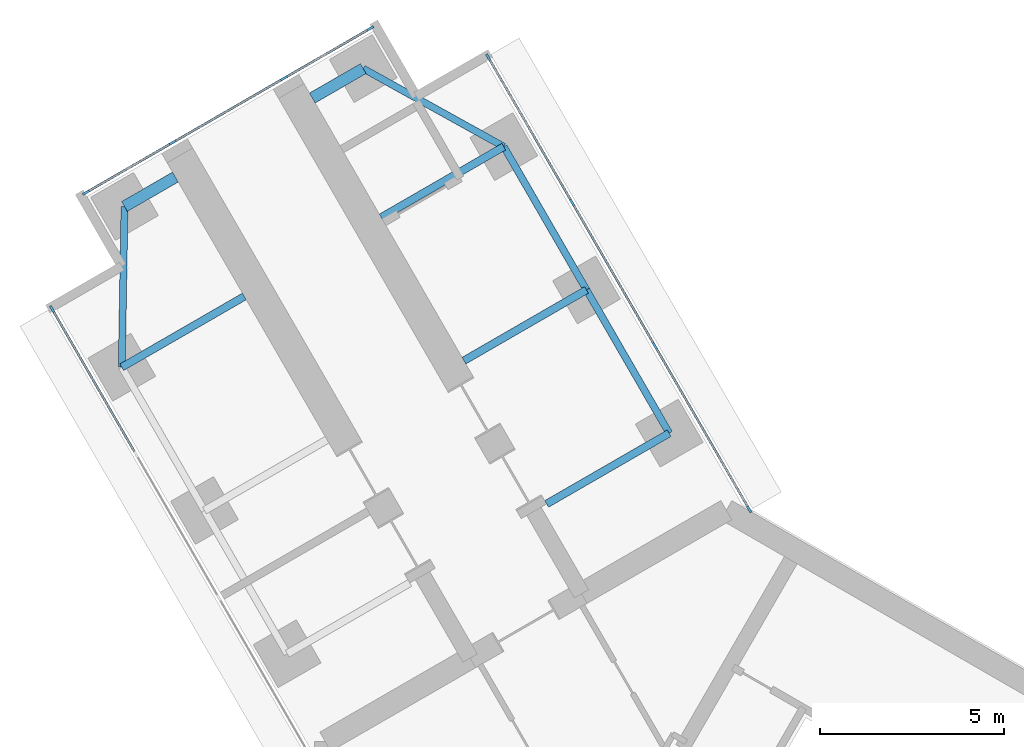
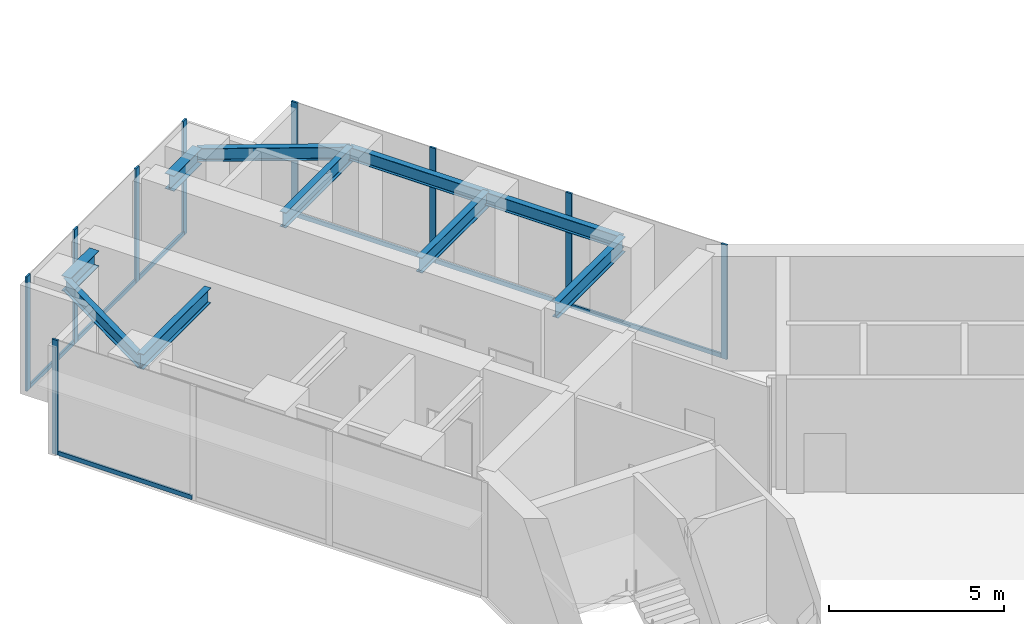
# One storey, part 6 of 21: 16 members, 10 beams, 3 elements without a shape of their own.
"""IFC4 building model written with IfcOpenShell, lengths in metres."""

import ifcopenshell
import ifcopenshell.guid

model = None  # the IFC model being written
_history = None  # IfcOwnerHistory: only IFC2X3 demands one
_inside = {}  # id of a spatial element -> (the spatial element, [elements in it])
_under = {}  # id of a project, library or spatial element -> (it, [spatial elements below it])
_declared = {}  # id of a project -> (the project, [libraries it declares])
_typed = {}  # id of a type object -> (the type object, [elements of that type])
_made_of = {}  # id of a material, layer set ... -> (it, [elements and type objects made of it])


def new_model(schema):
    """Start an empty IFC model of exactly this schema.

    Asked for "IFC4X3", IfcOpenShell would pick the latest addendum, in which some entities
    have other attributes; the version numbers below select the first issue.
    IFC2X3 requires an IfcOwnerHistory on every rooted entity: one is made here for all.
    """
    global model, _history
    if schema == "IFC4X3":
        model = ifcopenshell.file(schema_version=(4, 3, 0, 0))
    else:
        model = ifcopenshell.file(schema=schema)
    _inside.clear()
    _under.clear()
    _declared.clear()
    _typed.clear()
    _made_of.clear()
    _history = None
    if model.schema == "IFC2X3":
        org = make("IfcOrganization", Name="unknown")
        user = make(
            "IfcPersonAndOrganization",
            ThePerson=make("IfcPerson", FamilyName="unknown"),
            TheOrganization=org,
        )
        app = make(
            "IfcApplication",
            ApplicationDeveloper=org,
            Version="unknown",
            ApplicationFullName="unknown",
            ApplicationIdentifier="unknown",
        )
        _history = make(
            "IfcOwnerHistory",
            OwningUser=user,
            OwningApplication=app,
            ChangeAction="ADDED",
            CreationDate=0,
        )
    return model


def make(cls, **values):
    """One entity of the class cls with the attributes given. An attribute that is None is left unset."""
    return model.create_entity(
        cls, **{name: value for name, value in values.items() if value is not None}
    )


def rooted(cls, **values):
    """An entity with a GlobalId (a new one), such as an element, a storey or a relation."""
    return make(cls, GlobalId=ifcopenshell.guid.new(), OwnerHistory=_history, **values)


def si_unit(unit_type, name, prefix=None):
    """IfcSIUnit, for example si_unit("LENGTHUNIT", "METRE", prefix="MILLI")."""
    return make("IfcSIUnit", UnitType=unit_type, Prefix=prefix, Name=name)


def assignment(units):
    """IfcUnitAssignment: the units of a project."""
    return None if units is None else make("IfcUnitAssignment", Units=units)


def point(xyz):
    """IfcCartesianPoint."""
    return None if xyz is None else make("IfcCartesianPoint", Coordinates=xyz)


def direction(xyz):
    """IfcDirection."""
    return None if xyz is None else make("IfcDirection", DirectionRatios=xyz)


def frame(location, z_axis=None, x_axis=None):
    """IfcAxis2Placement3D, a coordinate frame: its origin and axes. An axis left out is left unset."""
    return make(
        "IfcAxis2Placement3D",
        Location=point(location),
        Axis=direction(z_axis),
        RefDirection=direction(x_axis),
    )


def frame_2d(location, x_axis=None):
    """IfcAxis2Placement2D, a coordinate frame in the plane: its origin and x axis."""
    return make(
        "IfcAxis2Placement2D", Location=point(location), RefDirection=direction(x_axis)
    )


def origin():
    """The frame at (0, 0, 0) with its axes left unset."""
    return frame((0.0, 0.0, 0.0))


def origin_2d():
    """The frame at (0, 0) in the plane with its x axis left unset."""
    return frame_2d((0.0, 0.0))


def place(relative_to, where):
    """IfcLocalPlacement: puts the frame where relative to a parent placement (None: the world)."""
    return make(
        "IfcLocalPlacement", PlacementRelTo=relative_to, RelativePlacement=where
    )


def context(
    kind, dimensions, precision=None, world=None, true_north=None, identifier=None
):
    """IfcGeometricRepresentationContext, for example the 3D "Model" context."""
    return make(
        "IfcGeometricRepresentationContext",
        ContextIdentifier=identifier,
        ContextType=kind,
        CoordinateSpaceDimension=dimensions,
        Precision=precision,
        WorldCoordinateSystem=world,
        TrueNorth=true_north,
    )


def subcontext(parent, identifier, kind, view, scale=None):
    """IfcGeometricRepresentationSubContext, for example "Body" below "Model"."""
    return make(
        "IfcGeometricRepresentationSubContext",
        ContextIdentifier=identifier,
        ContextType=kind,
        ParentContext=parent,
        TargetScale=scale,
        TargetView=view,
    )


def project(units=None, contexts=None):
    """IfcProject with its units and contexts."""
    return rooted(
        "IfcProject",
        Name="project",
        RepresentationContexts=contexts,
        UnitsInContext=assignment(units),
    )


def spatial(cls, under=None, at=None, **own):
    """A site, building, storey or space (cls), placed at a placement, below another one or the project."""
    s = rooted(cls, ObjectPlacement=at, **own)
    if under is not None:
        _under.setdefault(under.id(), (under, []))[1].append(s)
    return s


def profile(cls, at=None, kind="AREA", **sizes):
    """A parametric profile (cls). Its sizes go by their IFC names, for example OverallWidth=200.0."""
    return make(cls, ProfileType=kind, Position=at, **sizes)


def rectangle(**sizes):
    """IfcRectangleProfileDef."""
    return profile("IfcRectangleProfileDef", **sizes)


def i_section(**sizes):
    """IfcIShapeProfileDef."""
    return profile("IfcIShapeProfileDef", **sizes)


def extrude(swept, where, along, depth):
    """IfcExtrudedAreaSolid: the profile swept, set in the frame where, extruded along a direction by depth."""
    return make(
        "IfcExtrudedAreaSolid",
        SweptArea=swept,
        Position=where,
        ExtrudedDirection=direction(along),
        Depth=depth,
    )


def shape(context_of_items, identifier, shape_type, items):
    """IfcShapeRepresentation: the items that make up one representation, for example the "Body"."""
    return make(
        "IfcShapeRepresentation",
        ContextOfItems=context_of_items,
        RepresentationIdentifier=identifier,
        RepresentationType=shape_type,
        Items=items,
    )


def material(Name=None, Category=None):
    """IfcMaterial."""
    return make("IfcMaterial", Name=Name, Category=Category)


def material_profile(
    of_material, cross_section, Name=None, Category=None, Priority=None
):
    """IfcMaterialProfile: a cross section and its material."""
    return make(
        "IfcMaterialProfile",
        Name=Name,
        Material=of_material,
        Profile=cross_section,
        Priority=Priority,
        Category=Category,
    )


def profile_set(profiles, Name=None, composite=None):
    """IfcMaterialProfileSet."""
    return make(
        "IfcMaterialProfileSet",
        Name=Name,
        MaterialProfiles=profiles,
        CompositeProfile=composite,
    )


def made_of(thing, what):
    """Note that an element or type object is made of a material, layer set ...; save() writes the relation."""
    if what is not None:
        _made_of.setdefault(what.id(), (what, []))[1].append(thing)
    return thing


def type_object(cls, material=None, **own):
    """A type object (cls), such as IfcWallType, which elements share."""
    return made_of(rooted(cls, **own), material)


def element(
    cls,
    number,
    at=None,
    inside=None,
    cuts=None,
    type_object=None,
    material=None,
    context=None,
    identifier="Body",
    shape_type=None,
    held_by="IfcProductDefinitionShape",
    body=None,
    shapes=None,
    **own,
):
    """One element of the class cls, such as IfcWall. Its Tag is "e" and its number.

    at: its placement. inside: the storey or other place that contains it. cuts: it is an
    opening in that element (IfcRelVoidsElement). A single representation is given by context,
    identifier, shape_type and body (its items); several are given by shapes. held_by: the class
    of the entity that holds the representations. save() writes the other relations.
    """
    e = rooted(cls, Tag="e%d" % number, ObjectPlacement=at, **own)
    if body is not None:
        shapes = [shape(context, identifier, shape_type, body)]
    if shapes is not None:
        e.Representation = make(held_by, Representations=shapes)
    if inside is not None:
        _inside.setdefault(inside.id(), (inside, []))[1].append(e)
    if cuts is not None:
        rooted(
            "IfcRelVoidsElement", RelatingBuildingElement=cuts, RelatedOpeningElement=e
        )
    if type_object is not None:
        _typed.setdefault(type_object.id(), (type_object, []))[1].append(e)
    return made_of(e, material)


def aggregate(whole, parts):
    """IfcRelAggregates: a whole, such as a stair, and the parts it consists of."""
    return rooted("IfcRelAggregates", RelatingObject=whole, RelatedObjects=parts)


def save(model, path):
    """Write the relations noted so far, then the file.

    IfcRelAggregates (storeys below a building ...), IfcRelContainedInSpatialStructure (elements
    in a storey), IfcRelDefinesByType, IfcRelAssociatesMaterial and IfcRelDeclares: one each for
    every whole, place, type object, material and project.
    """
    for whole, parts in _under.values():
        aggregate(whole, parts)
    for where, things in _inside.values():
        rooted(
            "IfcRelContainedInSpatialStructure",
            RelatedElements=things,
            RelatingStructure=where,
        )
    for kind, things in _typed.values():
        rooted("IfcRelDefinesByType", RelatedObjects=things, RelatingType=kind)
    for what, things in _made_of.values():
        rooted("IfcRelAssociatesMaterial", RelatedObjects=things, RelatingMaterial=what)
    for by, libraries in _declared.values():
        rooted("IfcRelDeclares", RelatingContext=by, RelatedDefinitions=libraries)
    model.write(path)


model = new_model("IFC4")

# Units and contexts
model_context = context("Model", 3, precision=1e-05, world=origin(), true_north=direction((0.0, 1.0)))
body_context = subcontext(model_context, "Body", "Model", "MODEL_VIEW")
ifc_project = project(units=[si_unit("LENGTHUNIT", "METRE"), si_unit("AREAUNIT", "SQUARE_METRE"), si_unit("VOLUMEUNIT", "CUBIC_METRE"), si_unit("PLANEANGLEUNIT", "RADIAN"), si_unit("MASSUNIT", "GRAM", prefix="KILO")], contexts=[model_context])

# Site, building, storey
site_placement = place(None, origin())
site = spatial("IfcSite", under=ifc_project, at=site_placement, CompositionType="ELEMENT")
building_placement = place(site_placement, origin())
building = spatial("IfcBuilding", under=site, at=building_placement, Name="Upepo Twin Towers", CompositionType="ELEMENT")
storey_placement = place(building_placement, frame((0.0, 0.0, 101.5)))
storey = spatial("IfcBuildingStorey", under=building, at=storey_placement, Name="L24", CompositionType="ELEMENT", Elevation=101.5)

# Beams
ifc_material_1 = material(Name="Steel S355", Category="steel")
ifc_material_profile_1 = material_profile(ifc_material_1, i_section(OverallWidth=0.1904296875, OverallDepth=0.45703125, WebThickness=0.009033203125, FlangeThickness=0.014404296875, FilletRadius=0.01025390625, at=origin_2d()), Name="UB 457x191x74")
ifc_profile_set_1 = profile_set([ifc_material_profile_1], Name="Steel S355")
beam_type_1 = type_object("IfcBeamType", Name="Beam UB 457x191x74", PredefinedType="BEAM", material=ifc_profile_set_1)
beam_1_placement = place(storey_placement, frame((-16.446044921875, 16.485595703125, 3.571533203125), z_axis=(0.016803880528, 0.999858804832, 0.0), x_axis=(-0.999858804832, 0.016803880528, 0.0)))
element("IfcBeam", 1, at=beam_1_placement, inside=storey, type_object=beam_type_1, Name="T1 nose edge beam BL", PredefinedType="BEAM", context=body_context, shape_type="SweptSolid", body=[
    extrude(i_section(OverallWidth=0.1904296875, OverallDepth=0.45703125, WebThickness=0.009033203125, FlangeThickness=0.014404296875, FilletRadius=0.01025390625, at=origin_2d()), origin(), (0.0, 0.0, 1.0), 4.373291015625),
])
beam_2_placement = place(storey_placement, frame((-1.553955078125, 14.69140625, 3.571533203125), z_axis=(-0.500013631625, 0.866017533419, 0.0), x_axis=(-0.866017533419, -0.500013631625, 0.0)))
element("IfcBeam", 2, at=beam_2_placement, inside=storey, type_object=beam_type_1, Name="T1 edge beam BR 13.5-18.0", PredefinedType="BEAM", context=body_context, shape_type="SweptSolid", body=[
    extrude(i_section(OverallWidth=0.1904296875, OverallDepth=0.45703125, WebThickness=0.009033203125, FlangeThickness=0.014404296875, FilletRadius=0.01025390625, at=origin_2d()), origin(), (0.0, 0.0, 1.0), 4.499755859375),
])
beam_3_placement = place(storey_placement, frame((-3.803955078125, 18.58837890625, 3.571533203125), z_axis=(-0.499990139034, 0.866031096941, 0.0), x_axis=(-0.866031096941, -0.499990139034, 0.0)))
element("IfcBeam", 3, at=beam_3_placement, inside=storey, type_object=beam_type_1, Name="T1 edge beam BR 18.0-22.5", PredefinedType="BEAM", context=body_context, shape_type="SweptSolid", body=[
    extrude(i_section(OverallWidth=0.1904296875, OverallDepth=0.45703125, WebThickness=0.009033203125, FlangeThickness=0.014404296875, FilletRadius=0.01025390625, at=origin_2d()), origin(), (0.0, 0.0, 1.0), 4.5),
])
beam_4_placement = place(storey_placement, frame((-6.053955078125, 22.485595703125, 3.571533203125), z_axis=(-0.874312600038, 0.485363242752, 0.0), x_axis=(-0.485363242752, -0.874312600038, 0.0)))
element("IfcBeam", 4, at=beam_4_placement, inside=storey, type_object=beam_type_1, Name="T1 nose edge beam BR", PredefinedType="BEAM", context=body_context, shape_type="SweptSolid", body=[
    extrude(i_section(OverallWidth=0.1904296875, OverallDepth=0.45703125, WebThickness=0.009033203125, FlangeThickness=0.014404296875, FilletRadius=0.01025390625, at=origin_2d()), origin(), (0.0, 0.0, 1.0), 4.373046875),
])
ifc_material_2 = material(Name="Steel S355", Category="steel")
ifc_material_profile_2 = material_profile(ifc_material_2, i_section(OverallWidth=0.209228515625, OverallDepth=0.533203125, WebThickness=0.010009765625, FlangeThickness=0.015625, FilletRadius=0.0126953125, at=origin_2d()), Name="UB 533x210x92")
ifc_profile_set_2 = profile_set([ifc_material_profile_2], Name="Steel S355")
beam_type_2 = type_object("IfcBeamType", Name="Beam UB 533x210x92", PredefinedType="BEAM", material=ifc_profile_set_2)
for number, where, z_axis, x_axis, name in (
    (5, (-16.446044921875, 16.485595703125, 3.533447265625), (0.866006051527, 0.500033517596, 0.0), (-0.500033517596, 0.866006051527, 0.0), "T1 girder BL at 22.5"),
    (6, (-1.553955078125, 14.69140625, 3.533447265625), (-0.866006051527, -0.500033517596, 0.0), (0.500033517596, -0.866006051527, 0.0), "T1 girder BR at 13.5"),
):
    element("IfcBeam", number, at=place(storey_placement, frame(where, z_axis=z_axis, x_axis=x_axis)), inside=storey, type_object=beam_type_2, Name=name, PredefinedType="BEAM", context=body_context, shape_type="SweptSolid", body=[
        extrude(i_section(OverallWidth=0.209228515625, OverallDepth=0.533203125, WebThickness=0.010009765625, FlangeThickness=0.015625, FilletRadius=0.0126953125, at=origin_2d()), origin(), (0.0, 0.0, 1.0), 3.849853515625),
    ])
beam_5_placement = place(storey_placement, frame((-3.803955078125, 18.58837890625, 3.533447265625), z_axis=(-0.866033512162, -0.499985955615, 0.0), x_axis=(0.499985955615, -0.866033512162, 0.0)))
element("IfcBeam", 7, at=beam_5_placement, inside=storey, type_object=beam_type_2, Name="T1 girder BR at 18.0", PredefinedType="BEAM", context=body_context, shape_type="SweptSolid", body=[
    extrude(i_section(OverallWidth=0.209228515625, OverallDepth=0.533203125, WebThickness=0.010009765625, FlangeThickness=0.015625, FilletRadius=0.0126953125, at=origin_2d()), origin(), (0.0, 0.0, 1.0), 3.849609375),
])
beam_6_placement = place(storey_placement, frame((-6.053955078125, 22.485595703125, 3.533447265625), z_axis=(-0.866006051527, -0.500033517596, 0.0), x_axis=(0.500033517596, -0.866006051527, 0.0)))
element("IfcBeam", 8, at=beam_6_placement, inside=storey, type_object=beam_type_2, Name="T1 girder BR at 22.5", PredefinedType="BEAM", context=body_context, shape_type="SweptSolid", body=[
    extrude(i_section(OverallWidth=0.209228515625, OverallDepth=0.533203125, WebThickness=0.010009765625, FlangeThickness=0.015625, FilletRadius=0.0126953125, at=origin_2d()), origin(), (0.0, 0.0, 1.0), 3.849853515625),
])
ifc_material_3 = material(Name="Steel S355", Category="steel")
ifc_material_profile_3 = material_profile(ifc_material_3, i_section(OverallWidth=0.31201171875, OverallDepth=0.54345703125, WebThickness=0.0126953125, FlangeThickness=0.020263671875, FilletRadius=0.0126953125, at=origin_2d()), Name="UB 533x312x150")
ifc_profile_set_3 = profile_set([ifc_material_profile_3], Name="Steel S355")
beam_type_3 = type_object("IfcBeamType", Name="Beam UB 533x312x150", PredefinedType="BEAM", material=ifc_profile_set_3)
for number, where, z_axis, x_axis, name in (
    (9, (-16.37255859375, 20.858154296875, 3.5283203125), (0.865989903783, 0.500061482766, 0.0), (-0.500061482766, 0.865989903783, 0.0), "T1 nose beam BL"),
    (10, (-9.87744140625, 24.608154296875, 3.5283203125), (-0.865989903783, -0.500061482766, 0.0), (0.500061482766, -0.865989903783, 0.0), "T1 nose beam BR"),
):
    element("IfcBeam", number, at=place(storey_placement, frame(where, z_axis=z_axis, x_axis=x_axis)), inside=storey, type_object=beam_type_3, Name=name, PredefinedType="BEAM", context=body_context, shape_type="SweptSolid", body=[
        extrude(i_section(OverallWidth=0.31201171875, OverallDepth=0.54345703125, WebThickness=0.0126953125, FlangeThickness=0.020263671875, FilletRadius=0.0126953125, at=origin_2d()), origin(), (0.0, 0.0, 1.0), 1.599853515625),
    ])

# Curtain wall, member
ifc_material_4 = material(Name="Aluminium and fritted glass", Category="aluminium")
curtain_wall_type = type_object("IfcCurtainWallType", Name="Tower curtain wall TW2, fritted glass", PredefinedType="NOTDEFINED", material=ifc_material_4)
curtain_wall_1_placement = place(storey_placement, origin())
curtain_wall_1 = element("IfcCurtainWall", 11, at=curtain_wall_1_placement, inside=storey, type_object=curtain_wall_type, Name="T1 L24 wing B flank L curtain wall", PredefinedType="NOTDEFINED")
ifc_material_5 = material(Name="Aluminium mullion", Category="aluminium")
ifc_material_profile_4 = material_profile(ifc_material_5, rectangle(XDim=0.06494140625, YDim=0.199951171875, at=origin_2d()), Name="MULLION 65x200")
ifc_profile_set_4 = profile_set([ifc_material_profile_4], Name="Aluminium mullion")
member_type_1 = type_object("IfcMemberType", Name="Mullion 65x200 TW2", PredefinedType="MULLION", material=ifc_profile_set_4)
member_1_placement = place(storey_placement, frame((-18.341064453125, 18.067626953125, 0.0), z_axis=(0.0, 0.0, 1.0), x_axis=(-0.866025397833, -0.500000010308, 0.0)))
member_1 = element("IfcMember", 12, at=member_1_placement, type_object=member_type_1, Name="T1 L24 wing B flank L curtain wall mullion 4", PredefinedType="MULLION", context=body_context, shape_type="SweptSolid", body=[
    extrude(rectangle(XDim=0.06494140625, YDim=0.199951171875, at=origin_2d()), origin(), (0.0, 0.0, 1.0), 4.0),
])

# Curtain wall, members
curtain_wall_2_placement = place(storey_placement, origin())
curtain_wall_2 = element("IfcCurtainWall", 13, at=curtain_wall_2_placement, inside=storey, type_object=curtain_wall_type, Name="T1 L24 wing B flank R curtain wall", PredefinedType="NOTDEFINED")
member_2_placement = place(storey_placement, frame((-6.4765625, 24.91748046875, 0.0), z_axis=(0.0, 0.0, 1.0), x_axis=(0.866025397833, 0.500000010308, 0.0)))
member_2 = element("IfcMember", 14, at=member_2_placement, type_object=member_type_1, Name="T1 L24 wing B flank R curtain wall mullion 1", PredefinedType="MULLION", context=body_context, shape_type="SweptSolid", body=[
    extrude(rectangle(XDim=0.06494140625, YDim=0.199951171875, at=origin_2d()), origin(), (0.0, 0.0, 1.0), 4.0),
])
member_3_placement = place(storey_placement, frame((-4.192626953125, 20.9619140625, 0.0), z_axis=(0.0, 0.0, 1.0), x_axis=(0.866025397833, 0.500000010308, 0.0)))
member_3 = element("IfcMember", 15, at=member_3_placement, type_object=member_type_1, Name="T1 L24 wing B flank R curtain wall mullion 2", PredefinedType="MULLION", context=body_context, shape_type="SweptSolid", body=[
    extrude(rectangle(XDim=0.06494140625, YDim=0.199951171875, at=origin_2d()), origin(), (0.0, 0.0, 1.0), 4.0),
])
member_4_placement = place(storey_placement, frame((-1.942626953125, 17.06494140625, 0.0), z_axis=(0.0, 0.0, 1.0), x_axis=(0.866025397833, 0.500000010308, 0.0)))
member_4 = element("IfcMember", 16, at=member_4_placement, type_object=member_type_1, Name="T1 L24 wing B flank R curtain wall mullion 3", PredefinedType="MULLION", context=body_context, shape_type="SweptSolid", body=[
    extrude(rectangle(XDim=0.06494140625, YDim=0.199951171875, at=origin_2d()), origin(), (0.0, 0.0, 1.0), 4.0),
])
member_5_placement = place(storey_placement, frame((0.62255859375, 12.621826171875, 0.0), z_axis=(0.0, 0.0, 1.0), x_axis=(0.866025397833, 0.500000010308, 0.0)))
member_5 = element("IfcMember", 17, at=member_5_placement, type_object=member_type_1, Name="T1 L24 wing B flank R curtain wall mullion 4", PredefinedType="MULLION", context=body_context, shape_type="SweptSolid", body=[
    extrude(rectangle(XDim=0.06494140625, YDim=0.199951171875, at=origin_2d()), origin(), (0.0, 0.0, 1.0), 4.0),
])

curtain_wall_3_placement = place(storey_placement, origin())
curtain_wall_3 = element("IfcCurtainWall", 18, at=curtain_wall_3_placement, inside=storey, type_object=curtain_wall_type, Name="T1 L24 wing B nose curtain wall", PredefinedType="NOTDEFINED")
member_6_placement = place(storey_placement, frame((-9.68115234375, 25.703125, 0.0), z_axis=(0.0, 0.0, 1.0), x_axis=(0.500000030502, -0.866025386174, 0.0)))
member_6 = element("IfcMember", 19, at=member_6_placement, type_object=member_type_1, Name="T1 L24 wing B nose curtain wall mullion 1", PredefinedType="MULLION", context=body_context, shape_type="SweptSolid", body=[
    extrude(rectangle(XDim=0.06494140625, YDim=0.199951171875, at=origin_2d()), origin(), (0.0, 0.0, 1.0), 4.0),
])
member_7_placement = place(storey_placement, frame((-12.034423828125, 24.34423828125, 0.0), z_axis=(0.0, 0.0, 1.0), x_axis=(0.500000030502, -0.866025386174, 0.0)))
member_7 = element("IfcMember", 20, at=member_7_placement, type_object=member_type_1, Name="T1 L24 wing B nose curtain wall mullion 2", PredefinedType="MULLION", context=body_context, shape_type="SweptSolid", body=[
    extrude(rectangle(XDim=0.06494140625, YDim=0.199951171875, at=origin_2d()), origin(), (0.0, 0.0, 1.0), 4.0),
])
member_8_placement = place(storey_placement, frame((-15.0654296875, 22.59423828125, 0.0), z_axis=(0.0, 0.0, 1.0), x_axis=(0.500000030502, -0.866025386174, 0.0)))
member_8 = element("IfcMember", 21, at=member_8_placement, type_object=member_type_1, Name="T1 L24 wing B nose curtain wall mullion 3", PredefinedType="MULLION", context=body_context, shape_type="SweptSolid", body=[
    extrude(rectangle(XDim=0.06494140625, YDim=0.199951171875, at=origin_2d()), origin(), (0.0, 0.0, 1.0), 4.0),
])
member_9_placement = place(storey_placement, frame((-17.4189453125, 21.235595703125, 0.0), z_axis=(0.0, 0.0, 1.0), x_axis=(0.500000030502, -0.866025386174, 0.0)))
member_9 = element("IfcMember", 22, at=member_9_placement, type_object=member_type_1, Name="T1 L24 wing B nose curtain wall mullion 4", PredefinedType="MULLION", context=body_context, shape_type="SweptSolid", body=[
    extrude(rectangle(XDim=0.06494140625, YDim=0.199951171875, at=origin_2d()), origin(), (0.0, 0.0, 1.0), 4.0),
])

# Member
ifc_material_6 = material(Name="Aluminium transom", Category="aluminium")
ifc_material_profile_5 = material_profile(ifc_material_6, rectangle(XDim=0.06494140625, YDim=0.14990234375, at=origin_2d()), Name="TRANSOM 65x150")
ifc_profile_set_5 = profile_set([ifc_material_profile_5], Name="Aluminium transom")
member_type_2 = type_object("IfcMemberType", Name="Transom 65x150 TW2", PredefinedType="USERDEFINED", material=ifc_profile_set_5)
member_10_placement = place(storey_placement, frame((-16.073486328125, 14.14013671875, 0.074951171875), z_axis=(-0.499982167615, 0.866035699072, 0.0), x_axis=(-0.866035699072, -0.499982167615, 0.0)))
member_10 = element("IfcMember", 23, at=member_10_placement, type_object=member_type_2, Name="T1 L24 wing B flank L curtain wall transom 3", ObjectType="TRANSOM", PredefinedType="USERDEFINED", context=body_context, shape_type="SweptSolid", body=[
    extrude(rectangle(XDim=0.06494140625, YDim=0.14990234375, at=origin_2d()), origin(), (0.0, 0.0, 1.0), 4.502685546875),
])

aggregate(curtain_wall_1, [member_1, member_10])

member_11_placement = place(storey_placement, frame((-6.460205078125, 24.889404296875, 0.074951171875), z_axis=(0.500005646842, -0.866022143554, 0.0), x_axis=(0.866022143554, 0.500005646842, 0.0)))
member_11 = element("IfcMember", 24, at=member_11_placement, type_object=member_type_2, Name="T1 L24 wing B flank R curtain wall transom 1", ObjectType="TRANSOM", PredefinedType="USERDEFINED", context=body_context, shape_type="SweptSolid", body=[
    extrude(rectangle(XDim=0.06494140625, YDim=0.14990234375, at=origin_2d()), origin(), (0.0, 0.0, 1.0), 4.50244140625),
])

member_12_placement = place(storey_placement, frame((-4.176513671875, 20.933837890625, 0.074951171875), z_axis=(0.500005184116, -0.866022410713, 0.0), x_axis=(0.866022410713, 0.500005184116, 0.0)))
member_12 = element("IfcMember", 25, at=member_12_placement, type_object=member_type_2, Name="T1 L24 wing B flank R curtain wall transom 2", ObjectType="TRANSOM", PredefinedType="USERDEFINED", context=body_context, shape_type="SweptSolid", body=[
    extrude(rectangle(XDim=0.06494140625, YDim=0.14990234375, at=origin_2d()), origin(), (0.0, 0.0, 1.0), 4.43505859375),
])

member_13_placement = place(storey_placement, frame((-1.926513671875, 17.036865234375, 0.074951171875), z_axis=(0.499985288567, -0.866033897268, 0.0), x_axis=(0.866033897268, 0.499985288567, 0.0)))
member_13 = element("IfcMember", 26, at=member_13_placement, type_object=member_type_2, Name="T1 L24 wing B flank R curtain wall transom 3", ObjectType="TRANSOM", PredefinedType="USERDEFINED", context=body_context, shape_type="SweptSolid", body=[
    extrude(rectangle(XDim=0.06494140625, YDim=0.14990234375, at=origin_2d()), origin(), (0.0, 0.0, 1.0), 5.065673828125),
])

aggregate(curtain_wall_2, [member_2, member_3, member_4, member_5, member_11, member_12, member_13])

member_14_placement = place(storey_placement, frame((-9.709228515625, 25.686767578125, 0.074951171875), z_axis=(-0.866036909293, -0.499980071345, 0.0), x_axis=(0.499980071345, -0.866036909293, 0.0)))
member_14 = element("IfcMember", 27, at=member_14_placement, type_object=member_type_2, Name="T1 L24 wing B nose curtain wall transom 1", ObjectType="TRANSOM", PredefinedType="USERDEFINED", context=body_context, shape_type="SweptSolid", body=[
    extrude(rectangle(XDim=0.06494140625, YDim=0.14990234375, at=origin_2d()), origin(), (0.0, 0.0, 1.0), 2.65234375),
])

member_15_placement = place(storey_placement, frame((-12.0625, 24.328125, 0.074951171875), z_axis=(-0.866025804792, -0.499999305434, 0.0), x_axis=(0.499999305434, -0.866025804792, 0.0)))
member_15 = element("IfcMember", 28, at=member_15_placement, type_object=member_type_2, Name="T1 L24 wing B nose curtain wall transom 2", ObjectType="TRANSOM", PredefinedType="USERDEFINED", context=body_context, shape_type="SweptSolid", body=[
    extrude(rectangle(XDim=0.06494140625, YDim=0.14990234375, at=origin_2d()), origin(), (0.0, 0.0, 1.0), 3.43505859375),
])

member_16_placement = place(storey_placement, frame((-15.09375, 22.578125, 0.074951171875), z_axis=(-0.865997053448, -0.500049101008, 0.0), x_axis=(0.500049101008, -0.865997053448, 0.0)))
member_16 = element("IfcMember", 29, at=member_16_placement, type_object=member_type_2, Name="T1 L24 wing B nose curtain wall transom 3", ObjectType="TRANSOM", PredefinedType="USERDEFINED", context=body_context, shape_type="SweptSolid", body=[
    extrude(rectangle(XDim=0.06494140625, YDim=0.14990234375, at=origin_2d()), origin(), (0.0, 0.0, 1.0), 2.652587890625),
])

aggregate(curtain_wall_3, [member_6, member_7, member_8, member_9, member_14, member_15, member_16])

save(model, "model.ifc")
